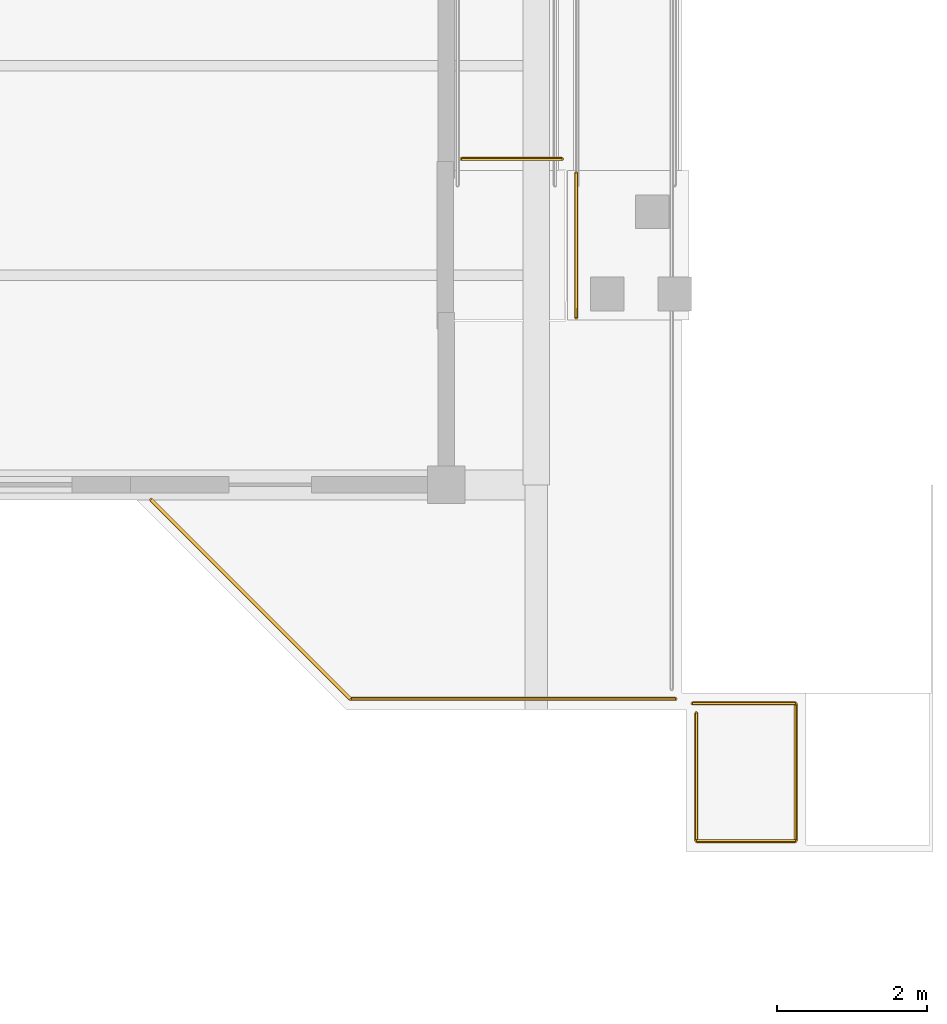
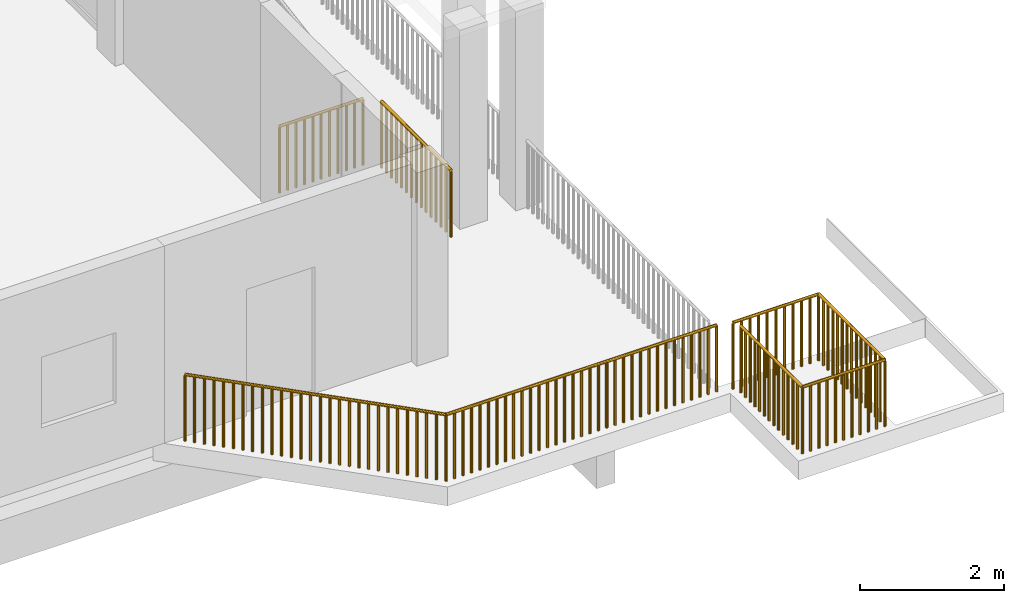
# One storey, part 29 of 33: 8 railings.
"""IFC4 building model written with IfcOpenShell, lengths in metres."""

import ifcopenshell
import ifcopenshell.guid

model = None  # the IFC model being written
_history = None  # IfcOwnerHistory: only IFC2X3 demands one
_inside = {}  # id of a spatial element -> (the spatial element, [elements in it])
_under = {}  # id of a project, library or spatial element -> (it, [spatial elements below it])
_declared = {}  # id of a project -> (the project, [libraries it declares])
_typed = {}  # id of a type object -> (the type object, [elements of that type])
_made_of = {}  # id of a material, layer set ... -> (it, [elements and type objects made of it])


def new_model(schema):
    """Start an empty IFC model of exactly this schema.

    Asked for "IFC4X3", IfcOpenShell would pick the latest addendum, in which some entities
    have other attributes; the version numbers below select the first issue.
    IFC2X3 requires an IfcOwnerHistory on every rooted entity: one is made here for all.
    """
    global model, _history
    if schema == "IFC4X3":
        model = ifcopenshell.file(schema_version=(4, 3, 0, 0))
    else:
        model = ifcopenshell.file(schema=schema)
    _inside.clear()
    _under.clear()
    _declared.clear()
    _typed.clear()
    _made_of.clear()
    _history = None
    if model.schema == "IFC2X3":
        org = make("IfcOrganization", Name="unknown")
        user = make(
            "IfcPersonAndOrganization",
            ThePerson=make("IfcPerson", FamilyName="unknown"),
            TheOrganization=org,
        )
        app = make(
            "IfcApplication",
            ApplicationDeveloper=org,
            Version="unknown",
            ApplicationFullName="unknown",
            ApplicationIdentifier="unknown",
        )
        _history = make(
            "IfcOwnerHistory",
            OwningUser=user,
            OwningApplication=app,
            ChangeAction="ADDED",
            CreationDate=0,
        )
    return model


def make(cls, **values):
    """One entity of the class cls with the attributes given. An attribute that is None is left unset."""
    return model.create_entity(
        cls, **{name: value for name, value in values.items() if value is not None}
    )


def rooted(cls, **values):
    """An entity with a GlobalId (a new one), such as an element, a storey or a relation."""
    return make(cls, GlobalId=ifcopenshell.guid.new(), OwnerHistory=_history, **values)


def si_unit(unit_type, name, prefix=None):
    """IfcSIUnit, for example si_unit("LENGTHUNIT", "METRE", prefix="MILLI")."""
    return make("IfcSIUnit", UnitType=unit_type, Prefix=prefix, Name=name)


def assignment(units):
    """IfcUnitAssignment: the units of a project."""
    return None if units is None else make("IfcUnitAssignment", Units=units)


def point(xyz):
    """IfcCartesianPoint."""
    return None if xyz is None else make("IfcCartesianPoint", Coordinates=xyz)


def direction(xyz):
    """IfcDirection."""
    return None if xyz is None else make("IfcDirection", DirectionRatios=xyz)


def frame(location, z_axis=None, x_axis=None):
    """IfcAxis2Placement3D, a coordinate frame: its origin and axes. An axis left out is left unset."""
    return make(
        "IfcAxis2Placement3D",
        Location=point(location),
        Axis=direction(z_axis),
        RefDirection=direction(x_axis),
    )


def frame_2d(location, x_axis=None):
    """IfcAxis2Placement2D, a coordinate frame in the plane: its origin and x axis."""
    return make(
        "IfcAxis2Placement2D", Location=point(location), RefDirection=direction(x_axis)
    )


def origin():
    """The frame at (0, 0, 0) with its axes left unset."""
    return frame((0.0, 0.0, 0.0))


def origin_2d():
    """The frame at (0, 0) in the plane with its x axis left unset."""
    return frame_2d((0.0, 0.0))


def place(relative_to, where):
    """IfcLocalPlacement: puts the frame where relative to a parent placement (None: the world)."""
    return make(
        "IfcLocalPlacement", PlacementRelTo=relative_to, RelativePlacement=where
    )


def context(
    kind, dimensions, precision=None, world=None, true_north=None, identifier=None
):
    """IfcGeometricRepresentationContext, for example the 3D "Model" context."""
    return make(
        "IfcGeometricRepresentationContext",
        ContextIdentifier=identifier,
        ContextType=kind,
        CoordinateSpaceDimension=dimensions,
        Precision=precision,
        WorldCoordinateSystem=world,
        TrueNorth=true_north,
    )


def subcontext(parent, identifier, kind, view, scale=None):
    """IfcGeometricRepresentationSubContext, for example "Body" below "Model"."""
    return make(
        "IfcGeometricRepresentationSubContext",
        ContextIdentifier=identifier,
        ContextType=kind,
        ParentContext=parent,
        TargetScale=scale,
        TargetView=view,
    )


def project(units=None, contexts=None):
    """IfcProject with its units and contexts."""
    return rooted(
        "IfcProject",
        Name="project",
        RepresentationContexts=contexts,
        UnitsInContext=assignment(units),
    )


def spatial(cls, under=None, at=None, **own):
    """A site, building, storey or space (cls), placed at a placement, below another one or the project."""
    s = rooted(cls, ObjectPlacement=at, **own)
    if under is not None:
        _under.setdefault(under.id(), (under, []))[1].append(s)
    return s


def profile(cls, at=None, kind="AREA", **sizes):
    """A parametric profile (cls). Its sizes go by their IFC names, for example OverallWidth=200.0."""
    return make(cls, ProfileType=kind, Position=at, **sizes)


def circle(**sizes):
    """IfcCircleProfileDef."""
    return profile("IfcCircleProfileDef", **sizes)


def extrude(swept, where, along, depth):
    """IfcExtrudedAreaSolid: the profile swept, set in the frame where, extruded along a direction by depth."""
    return make(
        "IfcExtrudedAreaSolid",
        SweptArea=swept,
        Position=where,
        ExtrudedDirection=direction(along),
        Depth=depth,
    )


def shape(context_of_items, identifier, shape_type, items):
    """IfcShapeRepresentation: the items that make up one representation, for example the "Body"."""
    return make(
        "IfcShapeRepresentation",
        ContextOfItems=context_of_items,
        RepresentationIdentifier=identifier,
        RepresentationType=shape_type,
        Items=items,
    )


def material(Name=None, Category=None):
    """IfcMaterial."""
    return make("IfcMaterial", Name=Name, Category=Category)


def made_of(thing, what):
    """Note that an element or type object is made of a material, layer set ...; save() writes the relation."""
    if what is not None:
        _made_of.setdefault(what.id(), (what, []))[1].append(thing)
    return thing


def type_object(cls, material=None, **own):
    """A type object (cls), such as IfcWallType, which elements share."""
    return made_of(rooted(cls, **own), material)


def element(
    cls,
    number,
    at=None,
    inside=None,
    cuts=None,
    type_object=None,
    material=None,
    context=None,
    identifier="Body",
    shape_type=None,
    held_by="IfcProductDefinitionShape",
    body=None,
    shapes=None,
    **own,
):
    """One element of the class cls, such as IfcWall. Its Tag is "e" and its number.

    at: its placement. inside: the storey or other place that contains it. cuts: it is an
    opening in that element (IfcRelVoidsElement). A single representation is given by context,
    identifier, shape_type and body (its items); several are given by shapes. held_by: the class
    of the entity that holds the representations. save() writes the other relations.
    """
    e = rooted(cls, Tag="e%d" % number, ObjectPlacement=at, **own)
    if body is not None:
        shapes = [shape(context, identifier, shape_type, body)]
    if shapes is not None:
        e.Representation = make(held_by, Representations=shapes)
    if inside is not None:
        _inside.setdefault(inside.id(), (inside, []))[1].append(e)
    if cuts is not None:
        rooted(
            "IfcRelVoidsElement", RelatingBuildingElement=cuts, RelatedOpeningElement=e
        )
    if type_object is not None:
        _typed.setdefault(type_object.id(), (type_object, []))[1].append(e)
    return made_of(e, material)


def aggregate(whole, parts):
    """IfcRelAggregates: a whole, such as a stair, and the parts it consists of."""
    return rooted("IfcRelAggregates", RelatingObject=whole, RelatedObjects=parts)


def save(model, path):
    """Write the relations noted so far, then the file.

    IfcRelAggregates (storeys below a building ...), IfcRelContainedInSpatialStructure (elements
    in a storey), IfcRelDefinesByType, IfcRelAssociatesMaterial and IfcRelDeclares: one each for
    every whole, place, type object, material and project.
    """
    for whole, parts in _under.values():
        aggregate(whole, parts)
    for where, things in _inside.values():
        rooted(
            "IfcRelContainedInSpatialStructure",
            RelatedElements=things,
            RelatingStructure=where,
        )
    for kind, things in _typed.values():
        rooted("IfcRelDefinesByType", RelatedObjects=things, RelatingType=kind)
    for what, things in _made_of.values():
        rooted("IfcRelAssociatesMaterial", RelatedObjects=things, RelatingMaterial=what)
    for by, libraries in _declared.values():
        rooted("IfcRelDeclares", RelatingContext=by, RelatedDefinitions=libraries)
    model.write(path)


model = new_model("IFC4")

# Units and contexts
model_context = context("Model", 3, precision=1e-05, world=origin(), true_north=direction((0.0, 1.0)))
body_context = subcontext(model_context, "Body", "Model", "MODEL_VIEW")
ifc_project = project(units=[si_unit("LENGTHUNIT", "METRE"), si_unit("AREAUNIT", "SQUARE_METRE"), si_unit("VOLUMEUNIT", "CUBIC_METRE"), si_unit("PLANEANGLEUNIT", "RADIAN"), si_unit("MASSUNIT", "GRAM", prefix="KILO")], contexts=[model_context])

# Site, building, storey
site_placement = place(None, origin())
site = spatial("IfcSite", under=ifc_project, at=site_placement, CompositionType="ELEMENT")
building_placement = place(site_placement, origin())
building = spatial("IfcBuilding", under=site, at=building_placement, Name="Vanh Quang Courtyard School", CompositionType="ELEMENT")
storey_placement = place(building_placement, frame((0.0, 0.0, 18.60009765625)))
storey = spatial("IfcBuildingStorey", under=building, at=storey_placement, Name="L05", CompositionType="ELEMENT", Elevation=18.60009765625)

# Railings
ifc_material = material(Name="Galvanised painted steel EN 10025-2 S355J2", Category="steel")
railing_type = type_object("IfcRailingType", Name="RAIL-GUARD-1150", PredefinedType="BALUSTRADE", material=ifc_material)
railing_1_placement = place(storey_placement, frame((111.534423828125, 73.635009765625, 0.0)))
element("IfcRailing", 1, at=railing_1_placement, inside=storey, type_object=railing_type, Name="Railing GR-01 (L05)", PredefinedType="BALUSTRADE", context=body_context, shape_type="SweptSolid", body=[
    extrude(circle(Radius=0.02392578125, at=origin_2d()), frame((0.0, 0.0, 1.1259765625), z_axis=(0.000253004419, 0.999999967994, 0.0), x_axis=(-0.999999967994, 0.000253004419, 0.0)), (0.0, 0.0, 1.0), 1.929931640625),
    extrude(circle(Radius=0.02099609375, at=origin_2d()), origin(), (0.0, 0.0, 1.0), 1.101806640625),
    extrude(circle(Radius=0.02099609375, at=origin_2d()), frame((0.0, 0.137939453125, 0.0)), (0.0, 0.0, 1.0), 1.101806640625),
    extrude(circle(Radius=0.02099609375, at=origin_2d()), frame((0.0, 0.275634765625, 0.0)), (0.0, 0.0, 1.0), 1.101806640625),
    extrude(circle(Radius=0.02099609375, at=origin_2d()), frame((0.0, 0.41357421875, 0.0)), (0.0, 0.0, 1.0), 1.101806640625),
    extrude(circle(Radius=0.02099609375, at=origin_2d()), frame((0.000244140625, 0.551513671875, 0.0)), (0.0, 0.0, 1.0), 1.101806640625),
    extrude(circle(Radius=0.02099609375, at=origin_2d()), frame((0.000244140625, 0.689208984375, 0.0)), (0.0, 0.0, 1.0), 1.101806640625),
    extrude(circle(Radius=0.02099609375, at=origin_2d()), frame((0.000244140625, 0.8271484375, 0.0)), (0.0, 0.0, 1.0), 1.101806640625),
    extrude(circle(Radius=0.02099609375, at=origin_2d()), frame((0.000244140625, 0.96484375, 0.0)), (0.0, 0.0, 1.0), 1.101806640625),
    extrude(circle(Radius=0.02099609375, at=origin_2d()), frame((0.000244140625, 1.102783203125, 0.0)), (0.0, 0.0, 1.0), 1.101806640625),
    extrude(circle(Radius=0.02099609375, at=origin_2d()), frame((0.000244140625, 1.24072265625, 0.0)), (0.0, 0.0, 1.0), 1.101806640625),
    extrude(circle(Radius=0.02099609375, at=origin_2d()), frame((0.000244140625, 1.37841796875, 0.0)), (0.0, 0.0, 1.0), 1.101806640625),
    extrude(circle(Radius=0.02099609375, at=origin_2d()), frame((0.00048828125, 1.516357421875, 0.0)), (0.0, 0.0, 1.0), 1.101806640625),
    extrude(circle(Radius=0.02099609375, at=origin_2d()), frame((0.00048828125, 1.654296875, 0.0)), (0.0, 0.0, 1.0), 1.101806640625),
    extrude(circle(Radius=0.02099609375, at=origin_2d()), frame((0.00048828125, 1.7919921875, 0.0)), (0.0, 0.0, 1.0), 1.101806640625),
    extrude(circle(Radius=0.02099609375, at=origin_2d()), frame((0.00048828125, 1.929931640625, 0.0)), (0.0, 0.0, 1.0), 1.101806640625),
])
railing_2_placement = place(storey_placement, frame((111.344970703125, 75.7548828125, 0.0)))
element("IfcRailing", 2, at=railing_2_placement, inside=storey, type_object=railing_type, Name="Railing GR-01 (L05)", PredefinedType="BALUSTRADE", context=body_context, shape_type="SweptSolid", body=[
    extrude(circle(Radius=0.02392578125, at=origin_2d()), frame((0.0, 0.0, 1.1259765625), z_axis=(-1.0, 0.0, 0.0), x_axis=(0.0, -1.0, 0.0)), (0.0, 0.0, 1.0), 1.344970703125),
    extrude(circle(Radius=0.02099609375, at=origin_2d()), origin(), (0.0, 0.0, 1.0), 1.101806640625),
    extrude(circle(Radius=0.02099609375, at=origin_2d()), frame((-0.134521484375, 0.0, 0.0)), (0.0, 0.0, 1.0), 1.101806640625),
    extrude(circle(Radius=0.02099609375, at=origin_2d()), frame((-0.26904296875, 0.0, 0.0)), (0.0, 0.0, 1.0), 1.101806640625),
    extrude(circle(Radius=0.02099609375, at=origin_2d()), frame((-0.403564453125, 0.0, 0.0)), (0.0, 0.0, 1.0), 1.101806640625),
    extrude(circle(Radius=0.02099609375, at=origin_2d()), frame((-0.5380859375, 0.0, 0.0)), (0.0, 0.0, 1.0), 1.101806640625),
    extrude(circle(Radius=0.02099609375, at=origin_2d()), frame((-0.67236328125, 0.0, 0.0)), (0.0, 0.0, 1.0), 1.101806640625),
    extrude(circle(Radius=0.02099609375, at=origin_2d()), frame((-0.806884765625, 0.0, 0.0)), (0.0, 0.0, 1.0), 1.101806640625),
    extrude(circle(Radius=0.02099609375, at=origin_2d()), frame((-0.94140625, 0.0, 0.0)), (0.0, 0.0, 1.0), 1.101806640625),
    extrude(circle(Radius=0.02099609375, at=origin_2d()), frame((-1.075927734375, 0.0, 0.0)), (0.0, 0.0, 1.0), 1.101806640625),
    extrude(circle(Radius=0.02099609375, at=origin_2d()), frame((-1.21044921875, 0.0, 0.0)), (0.0, 0.0, 1.0), 1.101806640625),
    extrude(circle(Radius=0.02099609375, at=origin_2d()), frame((-1.344970703125, 0.0, 0.0)), (0.0, 0.0, 1.0), 1.101806640625),
])
railing_3_placement = place(storey_placement, frame((112.861572265625, 68.5400390625, 0.0)))
element("IfcRailing", 3, at=railing_3_placement, inside=storey, type_object=railing_type, Name="Railing GR-01 (L05)", PredefinedType="BALUSTRADE", context=body_context, shape_type="SweptSolid", body=[
    extrude(circle(Radius=0.02392578125, at=origin_2d()), frame((0.0, 0.0, 1.1259765625), z_axis=(-1.0, 0.0, 0.0), x_axis=(0.0, -1.0, 0.0)), (0.0, 0.0, 1.0), 4.34765625),
    extrude(circle(Radius=0.02099609375, at=origin_2d()), origin(), (0.0, 0.0, 1.0), 1.101806640625),
    extrude(circle(Radius=0.02099609375, at=origin_2d()), frame((-0.1357421875, 0.0, 0.0)), (0.0, 0.0, 1.0), 1.101806640625),
    extrude(circle(Radius=0.02099609375, at=origin_2d()), frame((-0.271728515625, 0.0, 0.0)), (0.0, 0.0, 1.0), 1.101806640625),
    extrude(circle(Radius=0.02099609375, at=origin_2d()), frame((-0.40771484375, 0.0, 0.0)), (0.0, 0.0, 1.0), 1.101806640625),
    extrude(circle(Radius=0.02099609375, at=origin_2d()), frame((-0.54345703125, 0.0, 0.0)), (0.0, 0.0, 1.0), 1.101806640625),
    extrude(circle(Radius=0.02099609375, at=origin_2d()), frame((-0.67919921875, 0.0, 0.0)), (0.0, 0.0, 1.0), 1.101806640625),
    extrude(circle(Radius=0.02099609375, at=origin_2d()), frame((-0.815185546875, 0.0, 0.0)), (0.0, 0.0, 1.0), 1.101806640625),
    extrude(circle(Radius=0.02099609375, at=origin_2d()), frame((-0.951171875, 0.0, 0.0)), (0.0, 0.0, 1.0), 1.101806640625),
    extrude(circle(Radius=0.02099609375, at=origin_2d()), frame((-1.0869140625, 0.0, 0.0)), (0.0, 0.0, 1.0), 1.101806640625),
    extrude(circle(Radius=0.02099609375, at=origin_2d()), frame((-1.22265625, 0.0, 0.0)), (0.0, 0.0, 1.0), 1.101806640625),
    extrude(circle(Radius=0.02099609375, at=origin_2d()), frame((-1.358642578125, 0.0, 0.0)), (0.0, 0.0, 1.0), 1.101806640625),
    extrude(circle(Radius=0.02099609375, at=origin_2d()), frame((-1.49462890625, 0.0, 0.0)), (0.0, 0.0, 1.0), 1.101806640625),
    extrude(circle(Radius=0.02099609375, at=origin_2d()), frame((-1.63037109375, 0.0, 0.0)), (0.0, 0.0, 1.0), 1.101806640625),
    extrude(circle(Radius=0.02099609375, at=origin_2d()), frame((-1.76611328125, 0.0, 0.0)), (0.0, 0.0, 1.0), 1.101806640625),
    extrude(circle(Radius=0.02099609375, at=origin_2d()), frame((-1.902099609375, 0.0, 0.0)), (0.0, 0.0, 1.0), 1.101806640625),
    extrude(circle(Radius=0.02099609375, at=origin_2d()), frame((-2.0380859375, 0.0, 0.0)), (0.0, 0.0, 1.0), 1.101806640625),
    extrude(circle(Radius=0.02099609375, at=origin_2d()), frame((-2.173828125, 0.0, 0.0)), (0.0, 0.0, 1.0), 1.101806640625),
    extrude(circle(Radius=0.02099609375, at=origin_2d()), frame((-2.3095703125, 0.0, 0.0)), (0.0, 0.0, 1.0), 1.101806640625),
    extrude(circle(Radius=0.02099609375, at=origin_2d()), frame((-2.445556640625, 0.0, 0.0)), (0.0, 0.0, 1.0), 1.101806640625),
    extrude(circle(Radius=0.02099609375, at=origin_2d()), frame((-2.58154296875, 0.0, 0.0)), (0.0, 0.0, 1.0), 1.101806640625),
    extrude(circle(Radius=0.02099609375, at=origin_2d()), frame((-2.71728515625, 0.0, 0.0)), (0.0, 0.0, 1.0), 1.101806640625),
    extrude(circle(Radius=0.02099609375, at=origin_2d()), frame((-2.85302734375, 0.0, 0.0)), (0.0, 0.0, 1.0), 1.101806640625),
    extrude(circle(Radius=0.02099609375, at=origin_2d()), frame((-2.989013671875, 0.0, 0.0)), (0.0, 0.0, 1.0), 1.101806640625),
    extrude(circle(Radius=0.02099609375, at=origin_2d()), frame((-3.125, 0.0, 0.0)), (0.0, 0.0, 1.0), 1.101806640625),
    extrude(circle(Radius=0.02099609375, at=origin_2d()), frame((-3.2607421875, 0.0, 0.0)), (0.0, 0.0, 1.0), 1.101806640625),
    extrude(circle(Radius=0.02099609375, at=origin_2d()), frame((-3.396484375, 0.0, 0.0)), (0.0, 0.0, 1.0), 1.101806640625),
    extrude(circle(Radius=0.02099609375, at=origin_2d()), frame((-3.532470703125, 0.0, 0.0)), (0.0, 0.0, 1.0), 1.101806640625),
    extrude(circle(Radius=0.02099609375, at=origin_2d()), frame((-3.66845703125, 0.0, 0.0)), (0.0, 0.0, 1.0), 1.101806640625),
    extrude(circle(Radius=0.02099609375, at=origin_2d()), frame((-3.80419921875, 0.0, 0.0)), (0.0, 0.0, 1.0), 1.101806640625),
    extrude(circle(Radius=0.02099609375, at=origin_2d()), frame((-3.93994140625, 0.0, 0.0)), (0.0, 0.0, 1.0), 1.101806640625),
    extrude(circle(Radius=0.02099609375, at=origin_2d()), frame((-4.075927734375, 0.0, 0.0)), (0.0, 0.0, 1.0), 1.101806640625),
    extrude(circle(Radius=0.02099609375, at=origin_2d()), frame((-4.2119140625, 0.0, 0.0)), (0.0, 0.0, 1.0), 1.101806640625),
    extrude(circle(Radius=0.02099609375, at=origin_2d()), frame((-4.34765625, 0.0, 0.0)), (0.0, 0.0, 1.0), 1.101806640625),
])
railing_4_placement = place(storey_placement, frame((108.513916015625, 68.5400390625, 0.0)))
element("IfcRailing", 4, at=railing_4_placement, inside=storey, type_object=railing_type, Name="Railing GR-01 (L05)", PredefinedType="BALUSTRADE", context=body_context, shape_type="SweptSolid", body=[
    extrude(circle(Radius=0.02392578125, at=origin_2d()), frame((0.0, 0.0, 1.1259765625), z_axis=(-0.707106781187, 0.707106781187, 0.0), x_axis=(-0.707106781187, -0.707106781187, 0.0)), (0.0, 0.0, 1.0), 3.76171875),
    extrude(circle(Radius=0.02099609375, at=origin_2d()), origin(), (0.0, 0.0, 1.0), 1.101806640625),
    extrude(circle(Radius=0.02099609375, at=origin_2d()), frame((-0.0986328125, 0.0986328125, 0.0)), (0.0, 0.0, 1.0), 1.101806640625),
    extrude(circle(Radius=0.02099609375, at=origin_2d()), frame((-0.197021484375, 0.197021484375, 0.0)), (0.0, 0.0, 1.0), 1.101806640625),
    extrude(circle(Radius=0.02099609375, at=origin_2d()), frame((-0.295654296875, 0.295654296875, 0.0)), (0.0, 0.0, 1.0), 1.101806640625),
    extrude(circle(Radius=0.02099609375, at=origin_2d()), frame((-0.39404296875, 0.39404296875, 0.0)), (0.0, 0.0, 1.0), 1.101806640625),
    extrude(circle(Radius=0.02099609375, at=origin_2d()), frame((-0.49267578125, 0.49267578125, 0.0)), (0.0, 0.0, 1.0), 1.101806640625),
    extrude(circle(Radius=0.02099609375, at=origin_2d()), frame((-0.591064453125, 0.591064453125, 0.0)), (0.0, 0.0, 1.0), 1.101806640625),
    extrude(circle(Radius=0.02099609375, at=origin_2d()), frame((-0.689697265625, 0.689697265625, 0.0)), (0.0, 0.0, 1.0), 1.101806640625),
    extrude(circle(Radius=0.02099609375, at=origin_2d()), frame((-0.7880859375, 0.7880859375, 0.0)), (0.0, 0.0, 1.0), 1.101806640625),
    extrude(circle(Radius=0.02099609375, at=origin_2d()), frame((-0.88671875, 0.88671875, 0.0)), (0.0, 0.0, 1.0), 1.101806640625),
    extrude(circle(Radius=0.02099609375, at=origin_2d()), frame((-0.985107421875, 0.985107421875, 0.0)), (0.0, 0.0, 1.0), 1.101806640625),
    extrude(circle(Radius=0.02099609375, at=origin_2d()), frame((-1.083740234375, 1.083740234375, 0.0)), (0.0, 0.0, 1.0), 1.101806640625),
    extrude(circle(Radius=0.02099609375, at=origin_2d()), frame((-1.18212890625, 1.18212890625, 0.0)), (0.0, 0.0, 1.0), 1.101806640625),
    extrude(circle(Radius=0.02099609375, at=origin_2d()), frame((-1.28076171875, 1.28076171875, 0.0)), (0.0, 0.0, 1.0), 1.101806640625),
    extrude(circle(Radius=0.02099609375, at=origin_2d()), frame((-1.379150390625, 1.379150390625, 0.0)), (0.0, 0.0, 1.0), 1.101806640625),
    extrude(circle(Radius=0.02099609375, at=origin_2d()), frame((-1.477783203125, 1.477783203125, 0.0)), (0.0, 0.0, 1.0), 1.101806640625),
    extrude(circle(Radius=0.02099609375, at=origin_2d()), frame((-1.576171875, 1.576171875, 0.0)), (0.0, 0.0, 1.0), 1.101806640625),
    extrude(circle(Radius=0.02099609375, at=origin_2d()), frame((-1.6748046875, 1.6748046875, 0.0)), (0.0, 0.0, 1.0), 1.101806640625),
    extrude(circle(Radius=0.02099609375, at=origin_2d()), frame((-1.773193359375, 1.773193359375, 0.0)), (0.0, 0.0, 1.0), 1.101806640625),
    extrude(circle(Radius=0.02099609375, at=origin_2d()), frame((-1.871826171875, 1.871826171875, 0.0)), (0.0, 0.0, 1.0), 1.101806640625),
    extrude(circle(Radius=0.02099609375, at=origin_2d()), frame((-1.97021484375, 1.97021484375, 0.0)), (0.0, 0.0, 1.0), 1.101806640625),
    extrude(circle(Radius=0.02099609375, at=origin_2d()), frame((-2.06884765625, 2.06884765625, 0.0)), (0.0, 0.0, 1.0), 1.101806640625),
    extrude(circle(Radius=0.02099609375, at=origin_2d()), frame((-2.167236328125, 2.167236328125, 0.0)), (0.0, 0.0, 1.0), 1.101806640625),
    extrude(circle(Radius=0.02099609375, at=origin_2d()), frame((-2.265869140625, 2.265869140625, 0.0)), (0.0, 0.0, 1.0), 1.101806640625),
    extrude(circle(Radius=0.02099609375, at=origin_2d()), frame((-2.3642578125, 2.3642578125, 0.0)), (0.0, 0.0, 1.0), 1.101806640625),
    extrude(circle(Radius=0.02099609375, at=origin_2d()), frame((-2.462890625, 2.462890625, 0.0)), (0.0, 0.0, 1.0), 1.101806640625),
    extrude(circle(Radius=0.02099609375, at=origin_2d()), frame((-2.561279296875, 2.561279296875, 0.0)), (0.0, 0.0, 1.0), 1.101806640625),
    extrude(circle(Radius=0.02099609375, at=origin_2d()), frame((-2.659912109375, 2.659912109375, 0.0)), (0.0, 0.0, 1.0), 1.101806640625),
])
railing_5_placement = place(storey_placement, frame((113.08837890625, 68.47998046875, 0.0)))
element("IfcRailing", 5, at=railing_5_placement, inside=storey, type_object=railing_type, Name="Railing GR-01 (L05)", PredefinedType="BALUSTRADE", context=body_context, shape_type="SweptSolid", body=[
    extrude(circle(Radius=0.02392578125, at=origin_2d()), frame((0.0, 0.0, 1.1259765625), z_axis=(1.0, 0.0, 0.0), x_axis=(0.0, 1.0, 0.0)), (0.0, 0.0, 1.0), 1.376708984375),
    extrude(circle(Radius=0.02099609375, at=origin_2d()), origin(), (0.0, 0.0, 1.0), 1.101806640625),
    extrude(circle(Radius=0.02099609375, at=origin_2d()), frame((0.1376953125, 0.0, 0.0)), (0.0, 0.0, 1.0), 1.101806640625),
    extrude(circle(Radius=0.02099609375, at=origin_2d()), frame((0.275390625, 0.0, 0.0)), (0.0, 0.0, 1.0), 1.101806640625),
    extrude(circle(Radius=0.02099609375, at=origin_2d()), frame((0.4130859375, 0.0, 0.0)), (0.0, 0.0, 1.0), 1.101806640625),
    extrude(circle(Radius=0.02099609375, at=origin_2d()), frame((0.55078125, 0.0, 0.0)), (0.0, 0.0, 1.0), 1.101806640625),
    extrude(circle(Radius=0.02099609375, at=origin_2d()), frame((0.6884765625, 0.0, 0.0)), (0.0, 0.0, 1.0), 1.101806640625),
    extrude(circle(Radius=0.02099609375, at=origin_2d()), frame((0.825927734375, 0.0, 0.0)), (0.0, 0.0, 1.0), 1.101806640625),
    extrude(circle(Radius=0.02099609375, at=origin_2d()), frame((0.963623046875, 0.0, 0.0)), (0.0, 0.0, 1.0), 1.101806640625),
    extrude(circle(Radius=0.02099609375, at=origin_2d()), frame((1.101318359375, 0.0, 0.0)), (0.0, 0.0, 1.0), 1.101806640625),
    extrude(circle(Radius=0.02099609375, at=origin_2d()), frame((1.239013671875, 0.0, 0.0)), (0.0, 0.0, 1.0), 1.101806640625),
    extrude(circle(Radius=0.02099609375, at=origin_2d()), frame((1.376708984375, 0.0, 0.0)), (0.0, 0.0, 1.0), 1.101806640625),
])
railing_6_placement = place(storey_placement, frame((114.465087890625, 68.47998046875, 0.0)))
element("IfcRailing", 6, at=railing_6_placement, inside=storey, type_object=railing_type, Name="Railing GR-01 (L05)", PredefinedType="BALUSTRADE", context=body_context, shape_type="SweptSolid", body=[
    extrude(circle(Radius=0.02392578125, at=origin_2d()), frame((0.0, 0.0, 1.1259765625), z_axis=(0.0, -1.0, 0.0), x_axis=(1.0, 0.0, 0.0)), (0.0, 0.0, 1.0), 1.840087890625),
    extrude(circle(Radius=0.02099609375, at=origin_2d()), origin(), (0.0, 0.0, 1.0), 1.101806640625),
    extrude(circle(Radius=0.02099609375, at=origin_2d()), frame((0.0, -0.13134765625, 0.0)), (0.0, 0.0, 1.0), 1.101806640625),
    extrude(circle(Radius=0.02099609375, at=origin_2d()), frame((0.0, -0.262939453125, 0.0)), (0.0, 0.0, 1.0), 1.101806640625),
    extrude(circle(Radius=0.02099609375, at=origin_2d()), frame((0.0, -0.394287109375, 0.0)), (0.0, 0.0, 1.0), 1.101806640625),
    extrude(circle(Radius=0.02099609375, at=origin_2d()), frame((0.0, -0.525634765625, 0.0)), (0.0, 0.0, 1.0), 1.101806640625),
    extrude(circle(Radius=0.02099609375, at=origin_2d()), frame((0.0, -0.6572265625, 0.0)), (0.0, 0.0, 1.0), 1.101806640625),
    extrude(circle(Radius=0.02099609375, at=origin_2d()), frame((0.0, -0.78857421875, 0.0)), (0.0, 0.0, 1.0), 1.101806640625),
    extrude(circle(Radius=0.02099609375, at=origin_2d()), frame((0.0, -0.919921875, 0.0)), (0.0, 0.0, 1.0), 1.101806640625),
    extrude(circle(Radius=0.02099609375, at=origin_2d()), frame((0.0, -1.051513671875, 0.0)), (0.0, 0.0, 1.0), 1.101806640625),
    extrude(circle(Radius=0.02099609375, at=origin_2d()), frame((0.0, -1.182861328125, 0.0)), (0.0, 0.0, 1.0), 1.101806640625),
    extrude(circle(Radius=0.02099609375, at=origin_2d()), frame((0.0, -1.314453125, 0.0)), (0.0, 0.0, 1.0), 1.101806640625),
    extrude(circle(Radius=0.02099609375, at=origin_2d()), frame((0.0, -1.44580078125, 0.0)), (0.0, 0.0, 1.0), 1.101806640625),
    extrude(circle(Radius=0.02099609375, at=origin_2d()), frame((0.0, -1.5771484375, 0.0)), (0.0, 0.0, 1.0), 1.101806640625),
    extrude(circle(Radius=0.02099609375, at=origin_2d()), frame((0.0, -1.708740234375, 0.0)), (0.0, 0.0, 1.0), 1.101806640625),
    extrude(circle(Radius=0.02099609375, at=origin_2d()), frame((0.0, -1.840087890625, 0.0)), (0.0, 0.0, 1.0), 1.101806640625),
])
railing_7_placement = place(storey_placement, frame((114.465087890625, 66.639892578125, 0.0)))
element("IfcRailing", 7, at=railing_7_placement, inside=storey, type_object=railing_type, Name="Railing GR-01 (L05)", PredefinedType="BALUSTRADE", context=body_context, shape_type="SweptSolid", body=[
    extrude(circle(Radius=0.02392578125, at=origin_2d()), frame((0.0, 0.0, 1.1259765625), z_axis=(-1.0, 0.0, 0.0), x_axis=(0.0, -1.0, 0.0)), (0.0, 0.0, 1.0), 1.3251953125),
    extrude(circle(Radius=0.02099609375, at=origin_2d()), origin(), (0.0, 0.0, 1.0), 1.101806640625),
    extrude(circle(Radius=0.02099609375, at=origin_2d()), frame((-0.132568359375, 0.0, 0.0)), (0.0, 0.0, 1.0), 1.101806640625),
    extrude(circle(Radius=0.02099609375, at=origin_2d()), frame((-0.26513671875, 0.0, 0.0)), (0.0, 0.0, 1.0), 1.101806640625),
    extrude(circle(Radius=0.02099609375, at=origin_2d()), frame((-0.3974609375, 0.0, 0.0)), (0.0, 0.0, 1.0), 1.101806640625),
    extrude(circle(Radius=0.02099609375, at=origin_2d()), frame((-0.530029296875, 0.0, 0.0)), (0.0, 0.0, 1.0), 1.101806640625),
    extrude(circle(Radius=0.02099609375, at=origin_2d()), frame((-0.66259765625, 0.0, 0.0)), (0.0, 0.0, 1.0), 1.101806640625),
    extrude(circle(Radius=0.02099609375, at=origin_2d()), frame((-0.795166015625, 0.0, 0.0)), (0.0, 0.0, 1.0), 1.101806640625),
    extrude(circle(Radius=0.02099609375, at=origin_2d()), frame((-0.927734375, 0.0, 0.0)), (0.0, 0.0, 1.0), 1.101806640625),
    extrude(circle(Radius=0.02099609375, at=origin_2d()), frame((-1.06005859375, 0.0, 0.0)), (0.0, 0.0, 1.0), 1.101806640625),
    extrude(circle(Radius=0.02099609375, at=origin_2d()), frame((-1.192626953125, 0.0, 0.0)), (0.0, 0.0, 1.0), 1.101806640625),
    extrude(circle(Radius=0.02099609375, at=origin_2d()), frame((-1.3251953125, 0.0, 0.0)), (0.0, 0.0, 1.0), 1.101806640625),
])
railing_8_placement = place(storey_placement, frame((113.139892578125, 66.639892578125, 0.0)))
element("IfcRailing", 8, at=railing_8_placement, inside=storey, type_object=railing_type, Name="Railing GR-01 (L05)", PredefinedType="BALUSTRADE", context=body_context, shape_type="SweptSolid", body=[
    extrude(circle(Radius=0.02392578125, at=origin_2d()), frame((0.0, 0.0, 1.1259765625), z_axis=(0.0, 1.0, 0.0), x_axis=(-1.0, 0.0, 0.0)), (0.0, 0.0, 1.0), 1.710205078125),
    extrude(circle(Radius=0.02099609375, at=origin_2d()), origin(), (0.0, 0.0, 1.0), 1.101806640625),
    extrude(circle(Radius=0.02099609375, at=origin_2d()), frame((0.0, 0.131591796875, 0.0)), (0.0, 0.0, 1.0), 1.101806640625),
    extrude(circle(Radius=0.02099609375, at=origin_2d()), frame((0.0, 0.26318359375, 0.0)), (0.0, 0.0, 1.0), 1.101806640625),
    extrude(circle(Radius=0.02099609375, at=origin_2d()), frame((0.0, 0.394775390625, 0.0)), (0.0, 0.0, 1.0), 1.101806640625),
    extrude(circle(Radius=0.02099609375, at=origin_2d()), frame((0.0, 0.526123046875, 0.0)), (0.0, 0.0, 1.0), 1.101806640625),
    extrude(circle(Radius=0.02099609375, at=origin_2d()), frame((0.0, 0.65771484375, 0.0)), (0.0, 0.0, 1.0), 1.101806640625),
    extrude(circle(Radius=0.02099609375, at=origin_2d()), frame((0.0, 0.789306640625, 0.0)), (0.0, 0.0, 1.0), 1.101806640625),
    extrude(circle(Radius=0.02099609375, at=origin_2d()), frame((0.0, 0.9208984375, 0.0)), (0.0, 0.0, 1.0), 1.101806640625),
    extrude(circle(Radius=0.02099609375, at=origin_2d()), frame((0.0, 1.052490234375, 0.0)), (0.0, 0.0, 1.0), 1.101806640625),
    extrude(circle(Radius=0.02099609375, at=origin_2d()), frame((0.0, 1.18408203125, 0.0)), (0.0, 0.0, 1.0), 1.101806640625),
    extrude(circle(Radius=0.02099609375, at=origin_2d()), frame((0.0, 1.3154296875, 0.0)), (0.0, 0.0, 1.0), 1.101806640625),
    extrude(circle(Radius=0.02099609375, at=origin_2d()), frame((0.0, 1.447021484375, 0.0)), (0.0, 0.0, 1.0), 1.101806640625),
    extrude(circle(Radius=0.02099609375, at=origin_2d()), frame((0.0, 1.57861328125, 0.0)), (0.0, 0.0, 1.0), 1.101806640625),
    extrude(circle(Radius=0.02099609375, at=origin_2d()), frame((0.0, 1.710205078125, 0.0)), (0.0, 0.0, 1.0), 1.101806640625),
])

save(model, "model.ifc")
